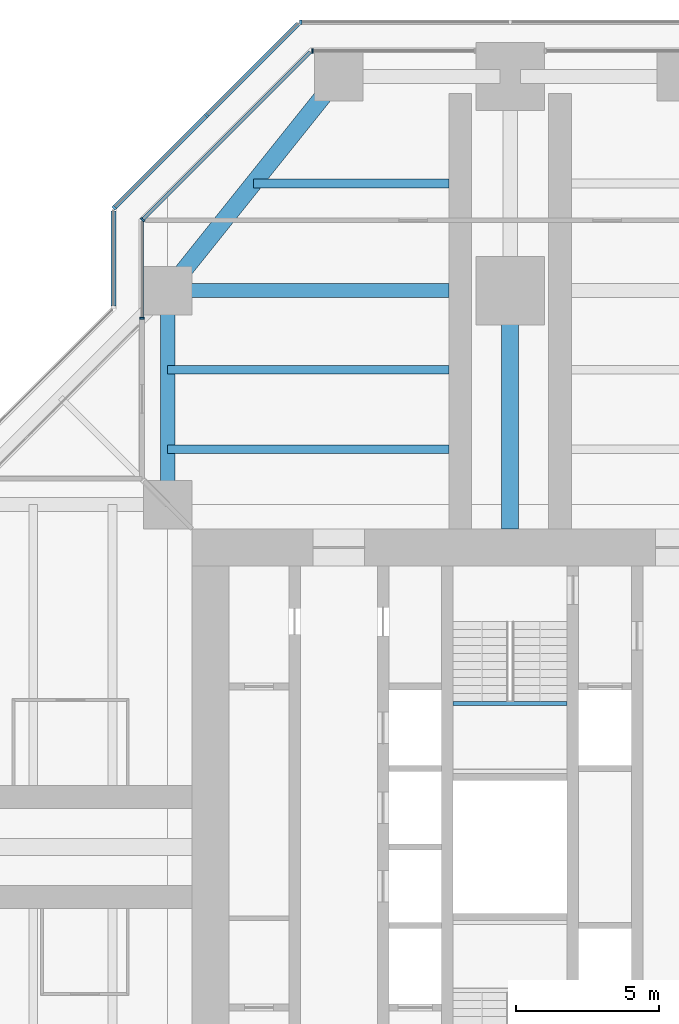
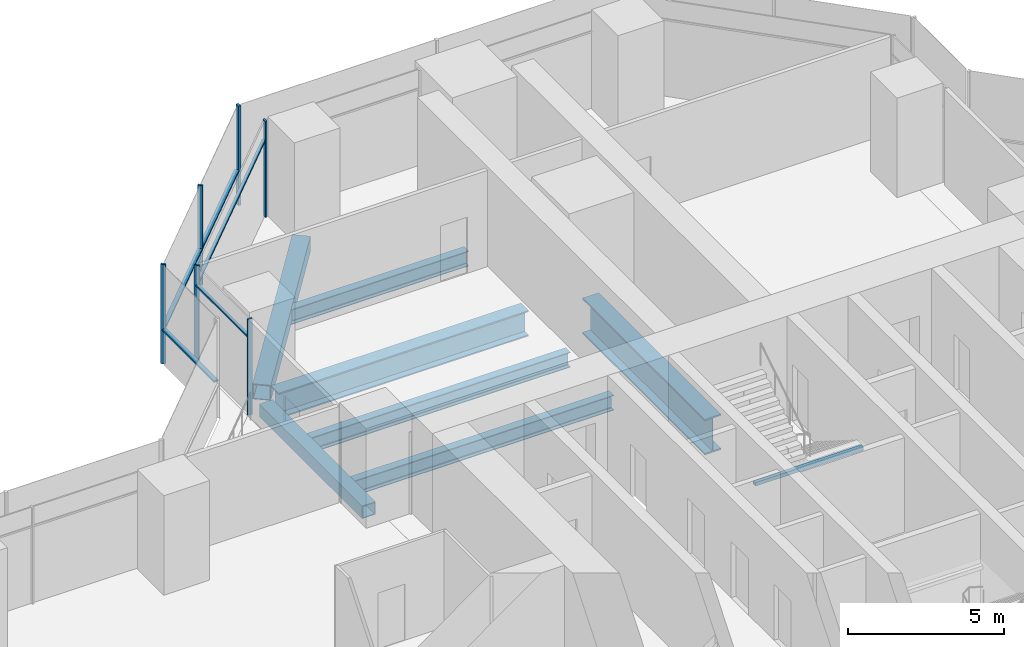
# One storey, part 8 of 19: 11 members, 8 beams, 6 elements without a shape of their own.
"""IFC4 building model written with IfcOpenShell, lengths in metres."""

from ifc_helpers import new_model, si_unit, direction, frame, origin, origin_2d, place, context, subcontext, project, spatial, rectangle, hollow_rectangle, i_section, extrude, material, material_profile, profile_set, type_object, element, aggregate, save


model = new_model("IFC4")

# Units and contexts
model_context = context("Model", 3, precision=1e-05, world=origin(), true_north=direction((0.0, 1.0)))
body_context = subcontext(model_context, "Body", "Model", "MODEL_VIEW")
ifc_project = project(units=[si_unit("LENGTHUNIT", "METRE"), si_unit("AREAUNIT", "SQUARE_METRE"), si_unit("VOLUMEUNIT", "CUBIC_METRE"), si_unit("PLANEANGLEUNIT", "RADIAN"), si_unit("MASSUNIT", "GRAM", prefix="KILO")], contexts=[model_context])

# Site, building, storey
site_placement = place(None, origin())
site = spatial("IfcSite", under=ifc_project, at=site_placement, CompositionType="ELEMENT")
building_placement = place(site_placement, origin())
building = spatial("IfcBuilding", under=site, at=building_placement, Name="Mizan Broadcast Tower", CompositionType="ELEMENT")
storey_placement = place(building_placement, frame((0.0, 0.0, 132.0)))
storey = spatial("IfcBuildingStorey", under=building, at=storey_placement, Name="L29", CompositionType="ELEMENT", Elevation=132.0)

# Beams
ifc_material_1 = material(Name="Steel S355", Category="steel")
ifc_material_profile_1 = material_profile(ifc_material_1, hollow_rectangle(XDim=0.5, YDim=0.5, WallThickness=0.030029296875, at=origin_2d()), Name="BOX 500x500x30")
ifc_profile_set_1 = profile_set([ifc_material_profile_1], Name="Steel S355")
beam_type_1 = type_object("IfcBeamType", Name="EDGE BEAM BOX 500x500x30", PredefinedType="SPANDREL", material=ifc_profile_set_1)
beam_1_placement = place(storey_placement, frame((-12.0, 12.449951171875, -0.3798828125), z_axis=(0.0, 1.0, 0.0), x_axis=(-1.0, 0.0, 0.0)))
element("IfcBeam", 1, at=beam_1_placement, inside=storey, type_object=beam_type_1, Name="Edge beam BOX 500x500x30 L29 north arm", PredefinedType="SPANDREL", context=body_context, shape_type="SweptSolid", body=[
    extrude(hollow_rectangle(XDim=0.5, YDim=0.5, WallThickness=0.030029296875, at=origin_2d()), origin(), (0.0, 0.0, 1.0), 6.60009765625),
])
ifc_material_2 = material(Name="Steel S355", Category="steel")
ifc_material_profile_2 = material_profile(ifc_material_2, hollow_rectangle(XDim=0.60009765625, YDim=0.60009765625, WallThickness=0.030029296875, at=origin_2d()), Name="BOX 600x600x30")
ifc_profile_set_2 = profile_set([ifc_material_profile_2], Name="Steel S355")
beam_type_2 = type_object("IfcBeamType", Name="EDGE BEAM BOX 600x600x30", PredefinedType="SPANDREL", material=ifc_profile_set_2)
beam_2_placement = place(storey_placement, frame((-11.639892578125, 19.949951171875, -0.429931640625), z_axis=(0.624673911726, 0.780885717636, 0.0), x_axis=(-0.780885717636, 0.624673911726, 0.0)))
element("IfcBeam", 2, at=beam_2_placement, inside=storey, type_object=beam_type_2, Name="Edge beam BOX 600x600x30 L29 north arm", PredefinedType="SPANDREL", context=body_context, shape_type="SweptSolid", body=[
    extrude(hollow_rectangle(XDim=0.60009765625, YDim=0.60009765625, WallThickness=0.030029296875, at=origin_2d()), origin(), (0.0, 0.0, 1.0), 8.4521484375),
])
ifc_material_3 = material(Name="Steel S460", Category="steel")
ifc_material_profile_3 = material_profile(ifc_material_3, i_section(OverallWidth=0.5, OverallDepth=1.0, WebThickness=0.02490234375, FlangeThickness=0.050048828125, at=origin_2d()), Name="WPG 1000x500")
ifc_profile_set_3 = profile_set([ifc_material_profile_3], Name="Steel S460")
beam_type_3 = type_object("IfcBeamType", Name="GIRDER WPG 1000x500", PredefinedType="BEAM", material=ifc_profile_set_3)
beam_3_placement = place(storey_placement, frame((-11.408935546875, 19.5, -0.6298828125), z_axis=(1.0, 0.0, 0.0), x_axis=(0.0, 1.0, 0.0)))
element("IfcBeam", 3, at=beam_3_placement, inside=storey, type_object=beam_type_3, Name="Girder WPG 1000x500 L29 north arm", PredefinedType="BEAM", context=body_context, shape_type="SweptSolid", body=[
    extrude(i_section(OverallWidth=0.5, OverallDepth=1.0, WebThickness=0.02490234375, FlangeThickness=0.050048828125, at=origin_2d()), origin(), (0.0, 0.0, 1.0), 9.259033203125),
])
ifc_material_4 = material(Name="Steel S460", Category="steel")
ifc_material_profile_4 = material_profile(ifc_material_4, i_section(OverallWidth=0.60009765625, OverallDepth=1.39990234375, WebThickness=0.02490234375, FlangeThickness=0.06005859375, at=origin_2d()), Name="WPG 1400x600")
ifc_profile_set_4 = profile_set([ifc_material_profile_4], Name="Steel S460")
beam_type_4 = type_object("IfcBeamType", Name="GIRDER WPG 1400x600", PredefinedType="BEAM", material=ifc_profile_set_4)
beam_4_placement = place(storey_placement, frame((0.0, 11.14990234375, -0.830078125), z_axis=(0.0, 1.0, 0.0), x_axis=(-1.0, 0.0, 0.0)))
element("IfcBeam", 4, at=beam_4_placement, inside=storey, type_object=beam_type_4, Name="Girder WPG 1400x600 L29 north arm", PredefinedType="BEAM", context=body_context, shape_type="SweptSolid", body=[
    extrude(i_section(OverallWidth=0.60009765625, OverallDepth=1.39990234375, WebThickness=0.02490234375, FlangeThickness=0.06005859375, at=origin_2d()), origin(), (0.0, 0.0, 1.0), 7.84912109375),
])

# Curtain wall, member
ifc_material_5 = material(Name="Aluminium framed glazing", Category="aluminium")
curtain_wall_type_1 = type_object("IfcCurtainWallType", Name="INNER SKIN MID ZONE", PredefinedType="USERDEFINED", material=ifc_material_5)
curtain_wall_1_placement = place(storey_placement, origin())
curtain_wall_1 = element("IfcCurtainWall", 5, at=curtain_wall_1_placement, inside=storey, type_object=curtain_wall_type_1, Name="Inner skin mid zone L29 N end", ObjectType="INNER SKIN MID ZONE", PredefinedType="USERDEFINED")
ifc_material_6 = material(Name="Aluminium, pale anodised", Category="aluminium")
ifc_material_profile_5 = material_profile(ifc_material_6, rectangle(XDim=0.159912109375, YDim=0.06005859375, at=origin_2d()), Name="MULLION 160x60")
ifc_profile_set_5 = profile_set([ifc_material_profile_5], Name="Aluminium, pale anodised")
member_type_1 = type_object("IfcMemberType", Name="INNER SKIN MULLION 60x160", PredefinedType="MULLION", material=ifc_profile_set_5)
member_1_placement = place(storey_placement, frame((-6.928466796875, 27.89990234375, 0.0), z_axis=(0.0, 0.0, 1.0), x_axis=(0.0, -1.0, 0.0)))
member_1 = element("IfcMember", 6, at=member_1_placement, type_object=member_type_1, Name="Inner skin mid zone L29 N end mullion 2", PredefinedType="MULLION", context=body_context, shape_type="SweptSolid", body=[
    extrude(rectangle(XDim=0.159912109375, YDim=0.06005859375, at=origin_2d()), origin(), (0.0, 0.0, 1.0), 3.77001953125),
])
aggregate(curtain_wall_1, [member_1])

curtain_wall_2_placement = place(storey_placement, origin())
curtain_wall_2 = element("IfcCurtainWall", 7, at=curtain_wall_2_placement, inside=storey, type_object=curtain_wall_type_1, Name="Inner skin mid zone L29 N chamfer", ObjectType="INNER SKIN MID ZONE", PredefinedType="USERDEFINED")
member_2_placement = place(storey_placement, frame((-12.87890625, 21.979736328125, 0.0), z_axis=(0.0, 0.0, 1.0), x_axis=(0.707106781187, -0.707106781187, 0.0)))
member_2 = element("IfcMember", 8, at=member_2_placement, type_object=member_type_1, Name="Inner skin mid zone L29 N chamfer mullion 2", PredefinedType="MULLION", context=body_context, shape_type="SweptSolid", body=[
    extrude(rectangle(XDim=0.159912109375, YDim=0.06005859375, at=origin_2d()), origin(), (0.0, 0.0, 1.0), 3.77001953125),
])

curtain_wall_3_placement = place(storey_placement, origin())
curtain_wall_3 = element("IfcCurtainWall", 9, at=curtain_wall_3_placement, inside=storey, type_object=curtain_wall_type_1, Name="Inner skin mid zone L29 N side", ObjectType="INNER SKIN MID ZONE", PredefinedType="USERDEFINED")
member_3_placement = place(storey_placement, frame((-12.89990234375, 18.530029296875, 0.0), z_axis=(0.0, 0.0, 1.0), x_axis=(1.0, 0.0, 0.0)))
member_3 = element("IfcMember", 10, at=member_3_placement, type_object=member_type_1, Name="Inner skin mid zone L29 N side mullion 2", PredefinedType="MULLION", context=body_context, shape_type="SweptSolid", body=[
    extrude(rectangle(XDim=0.159912109375, YDim=0.06005859375, at=origin_2d()), origin(), (0.0, 0.0, 1.0), 3.77001953125),
])

# Member
ifc_material_7 = material(Name="Aluminium, pale anodised", Category="aluminium")
ifc_material_profile_6 = material_profile(ifc_material_7, rectangle(XDim=0.1201171875, YDim=0.06005859375, at=origin_2d()), Name="TRANSOM 120x60")
ifc_profile_set_6 = profile_set([ifc_material_profile_6], Name="Aluminium, pale anodised")
member_type_2 = type_object("IfcMemberType", Name="INNER SKIN TRANSOM 60x120", PredefinedType="USERDEFINED", material=ifc_profile_set_6)
member_4_placement = place(storey_placement, frame((-7.0009765625, 27.857666015625, 3.030029296875), z_axis=(-0.707106781187, -0.707106781187, 0.0), x_axis=(0.707106781187, -0.707106781187, 0.0)))
member_4 = element("IfcMember", 11, at=member_4_placement, type_object=member_type_2, Name="Inner skin mid zone L29 N chamfer transom 1.1", ObjectType="TRANSOM", PredefinedType="USERDEFINED", context=body_context, shape_type="SweptSolid", body=[
    extrude(rectangle(XDim=0.1201171875, YDim=0.06005859375, at=origin_2d()), origin(), (0.0, 0.0, 1.0), 8.28271484375),
])

aggregate(curtain_wall_2, [member_2, member_4])

member_5_placement = place(storey_placement, frame((-12.89990234375, 21.898681640625, 3.030029296875), z_axis=(0.0, -1.0, 0.0), x_axis=(1.0, 0.0, 0.0)))
member_5 = element("IfcMember", 12, at=member_5_placement, type_object=member_type_2, Name="Inner skin mid zone L29 N side transom 1.1", ObjectType="TRANSOM", PredefinedType="USERDEFINED", context=body_context, shape_type="SweptSolid", body=[
    extrude(rectangle(XDim=0.1201171875, YDim=0.06005859375, at=origin_2d()), origin(), (0.0, 0.0, 1.0), 3.338623046875),
])

aggregate(curtain_wall_3, [member_3, member_5])

# Beam
ifc_material_8 = material(Name="Steel S355", Category="steel")
ifc_material_profile_7 = material_profile(ifc_material_8, hollow_rectangle(XDim=0.14990234375, YDim=0.14990234375, WallThickness=0.008056640625, InnerFilletRadius=0.008056640625, OuterFilletRadius=0.011962890625, at=origin_2d()), Name="SHS 150x150x8")
ifc_profile_set_7 = profile_set([ifc_material_profile_7], Name="Steel S355")
beam_type_5 = type_object("IfcBeamType", Name="LANDING TRIMMER SHS 150x150x8", PredefinedType="BEAM", material=ifc_profile_set_7)
beam_5_placement = place(storey_placement, frame((2.0, 5.02490234375, 1.675048828125), z_axis=(-1.0, 0.0, 0.0), x_axis=(0.0, -1.0, 0.0)))
element("IfcBeam", 13, at=beam_5_placement, inside=storey, type_object=beam_type_5, Name="Stair B landing trimmer L29", PredefinedType="BEAM", context=body_context, shape_type="SweptSolid", body=[
    extrude(hollow_rectangle(XDim=0.14990234375, YDim=0.14990234375, WallThickness=0.008056640625, InnerFilletRadius=0.008056640625, OuterFilletRadius=0.011962890625, at=origin_2d()), origin(), (0.0, 0.0, 1.0), 4.0),
])

# Curtain wall, member
ifc_material_9 = material(Name="Aluminium framed glazing", Category="aluminium")
curtain_wall_type_2 = type_object("IfcCurtainWallType", Name="OUTER SKIN", PredefinedType="USERDEFINED", material=ifc_material_9)
curtain_wall_4_placement = place(storey_placement, origin())
curtain_wall_4 = element("IfcCurtainWall", 14, at=curtain_wall_4_placement, inside=storey, type_object=curtain_wall_type_2, Name="Outer skin L29 N end", ObjectType="OUTER SKIN", PredefinedType="USERDEFINED")
ifc_material_10 = material(Name="Aluminium, pale anodised", Category="aluminium")
ifc_material_profile_8 = material_profile(ifc_material_10, rectangle(XDim=0.159912109375, YDim=0.080078125, at=origin_2d()), Name="MULLION 160x80")
ifc_profile_set_8 = profile_set([ifc_material_profile_8], Name="Aluminium, pale anodised")
member_type_3 = type_object("IfcMemberType", Name="OUTER SKIN MULLION 80x160", PredefinedType="MULLION", material=ifc_profile_set_8)
member_6_placement = place(storey_placement, frame((-7.332763671875, 28.89990234375, 0.0), z_axis=(0.0, 0.0, 1.0), x_axis=(0.0, -1.0, 0.0)))
member_6 = element("IfcMember", 15, at=member_6_placement, type_object=member_type_3, Name="Outer skin L29 N end mullion 3", PredefinedType="MULLION", context=body_context, shape_type="SweptSolid", body=[
    extrude(rectangle(XDim=0.159912109375, YDim=0.080078125, at=origin_2d()), origin(), (0.0, 0.0, 1.0), 3.89990234375),
])
aggregate(curtain_wall_4, [member_6])

# Curtain wall, members
curtain_wall_5_placement = place(storey_placement, origin())
curtain_wall_5 = element("IfcCurtainWall", 16, at=curtain_wall_5_placement, inside=storey, type_object=curtain_wall_type_2, Name="Outer skin L29 N chamfer", ObjectType="OUTER SKIN", PredefinedType="USERDEFINED")
member_7_placement = place(storey_placement, frame((-10.636474609375, 25.636474609375, 0.0), z_axis=(0.0, 0.0, 1.0), x_axis=(0.707106781187, -0.707106781187, 0.0)))
member_7 = element("IfcMember", 17, at=member_7_placement, type_object=member_type_3, Name="Outer skin L29 N chamfer mullion 2", PredefinedType="MULLION", context=body_context, shape_type="SweptSolid", body=[
    extrude(rectangle(XDim=0.159912109375, YDim=0.080078125, at=origin_2d()), origin(), (0.0, 0.0, 1.0), 3.89990234375),
])
member_8_placement = place(storey_placement, frame((-13.871826171875, 22.401123046875, 0.0), z_axis=(0.0, 0.0, 1.0), x_axis=(0.707106781187, -0.707106781187, 0.0)))
member_8 = element("IfcMember", 18, at=member_8_placement, type_object=member_type_3, Name="Outer skin L29 N chamfer mullion 3", PredefinedType="MULLION", context=body_context, shape_type="SweptSolid", body=[
    extrude(rectangle(XDim=0.159912109375, YDim=0.080078125, at=origin_2d()), origin(), (0.0, 0.0, 1.0), 3.89990234375),
])
ifc_material_11 = material(Name="Aluminium, pale anodised", Category="aluminium")
ifc_material_profile_9 = material_profile(ifc_material_11, rectangle(XDim=0.159912109375, YDim=0.06005859375, at=origin_2d()), Name="TRANSOM 160x60")
ifc_profile_set_9 = profile_set([ifc_material_profile_9], Name="Aluminium, pale anodised")
member_type_4 = type_object("IfcMemberType", Name="OUTER SKIN TRANSOM 60x160", PredefinedType="USERDEFINED", material=ifc_profile_set_9)
member_9_placement = place(storey_placement, frame((-7.429443359375, 28.843505859375, 1.39990234375), z_axis=(-0.707106781187, -0.707106781187, 0.0), x_axis=(0.707106781187, -0.707106781187, 0.0)))
member_9 = element("IfcMember", 19, at=member_9_placement, type_object=member_type_4, Name="Outer skin L29 N chamfer transom 1.1", ObjectType="TRANSOM", PredefinedType="USERDEFINED", context=body_context, shape_type="SweptSolid", body=[
    extrude(rectangle(XDim=0.159912109375, YDim=0.06005859375, at=origin_2d()), origin(), (0.0, 0.0, 1.0), 4.495361328125),
])
member_10_placement = place(storey_placement, frame((-10.664794921875, 25.608154296875, 1.39990234375), z_axis=(-0.707106781187, -0.707106781187, 0.0), x_axis=(0.707106781187, -0.707106781187, 0.0)))
member_10 = element("IfcMember", 20, at=member_10_placement, type_object=member_type_4, Name="Outer skin L29 N chamfer transom 2.1", ObjectType="TRANSOM", PredefinedType="USERDEFINED", context=body_context, shape_type="SweptSolid", body=[
    extrude(rectangle(XDim=0.159912109375, YDim=0.06005859375, at=origin_2d()), origin(), (0.0, 0.0, 1.0), 4.495361328125),
])
aggregate(curtain_wall_5, [member_7, member_8, member_9, member_10])

# Curtain wall, member
curtain_wall_6_placement = place(storey_placement, origin())
curtain_wall_6 = element("IfcCurtainWall", 21, at=curtain_wall_6_placement, inside=storey, type_object=curtain_wall_type_2, Name="Outer skin L29 N side", ObjectType="OUTER SKIN", PredefinedType="USERDEFINED")
member_11_placement = place(storey_placement, frame((-13.89990234375, 22.292724609375, 1.39990234375), z_axis=(0.0, -1.0, 0.0), x_axis=(1.0, 0.0, 0.0)))
member_11 = element("IfcMember", 22, at=member_11_placement, type_object=member_type_4, Name="Outer skin L29 N side transom 1.1", ObjectType="TRANSOM", PredefinedType="USERDEFINED", context=body_context, shape_type="SweptSolid", body=[
    extrude(rectangle(XDim=0.159912109375, YDim=0.06005859375, at=origin_2d()), origin(), (0.0, 0.0, 1.0), 3.33984375),
])
aggregate(curtain_wall_6, [member_11])

# Beams
ifc_material_12 = material(Name="Steel S355", Category="steel")
ifc_material_profile_10 = material_profile(ifc_material_12, i_section(OverallWidth=0.300048828125, OverallDepth=0.590087890625, WebThickness=0.012939453125, FlangeThickness=0.02490234375, FilletRadius=0.027099609375, at=origin_2d()), Name="HEA 600")
ifc_profile_set_10 = profile_set([ifc_material_profile_10], Name="Steel S355")
beam_type_6 = type_object("IfcBeamType", Name="SECONDARY BEAM HEA 600", PredefinedType="JOIST", material=ifc_profile_set_10)
for number, where, z_axis, x_axis, name in (
    (23, (-12.0, 13.933349609375, -0.425048828125), (1.0, 0.0, 0.0), (0.0, 1.0, 0.0), "Secondary beam HEA 600 L29 north arm"),
    (24, (-12.0, 16.716552734375, -0.425048828125), (1.0, 0.0, 0.0), (0.0, 1.0, 0.0), "Secondary beam HEA 600 L29 north arm"),
):
    element("IfcBeam", number, at=place(storey_placement, frame(where, z_axis=z_axis, x_axis=x_axis)), inside=storey, type_object=beam_type_6, Name=name, PredefinedType="JOIST", context=body_context, shape_type="SweptSolid", body=[
        extrude(i_section(OverallWidth=0.300048828125, OverallDepth=0.590087890625, WebThickness=0.012939453125, FlangeThickness=0.02490234375, FilletRadius=0.027099609375, at=origin_2d()), origin(), (0.0, 0.0, 1.0), 9.85009765625),
    ])
beam_6_placement = place(storey_placement, frame((-9.0, 23.25, -0.425048828125), z_axis=(1.0, 0.0, 0.0), x_axis=(0.0, 1.0, 0.0)))
element("IfcBeam", 25, at=beam_6_placement, inside=storey, type_object=beam_type_6, Name="Secondary beam HEA 600 L29 north arm", PredefinedType="JOIST", context=body_context, shape_type="SweptSolid", body=[
    extrude(i_section(OverallWidth=0.300048828125, OverallDepth=0.590087890625, WebThickness=0.012939453125, FlangeThickness=0.02490234375, FilletRadius=0.027099609375, at=origin_2d()), origin(), (0.0, 0.0, 1.0), 6.85009765625),
])

save(model, "model.ifc")
